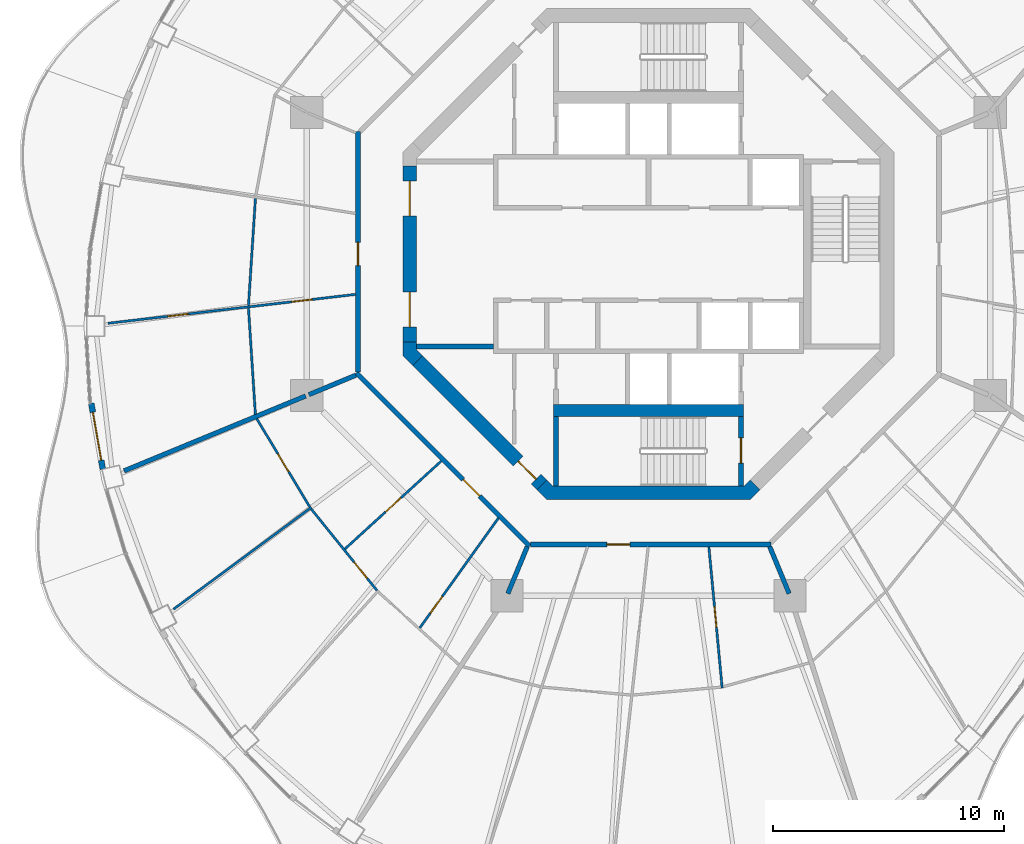
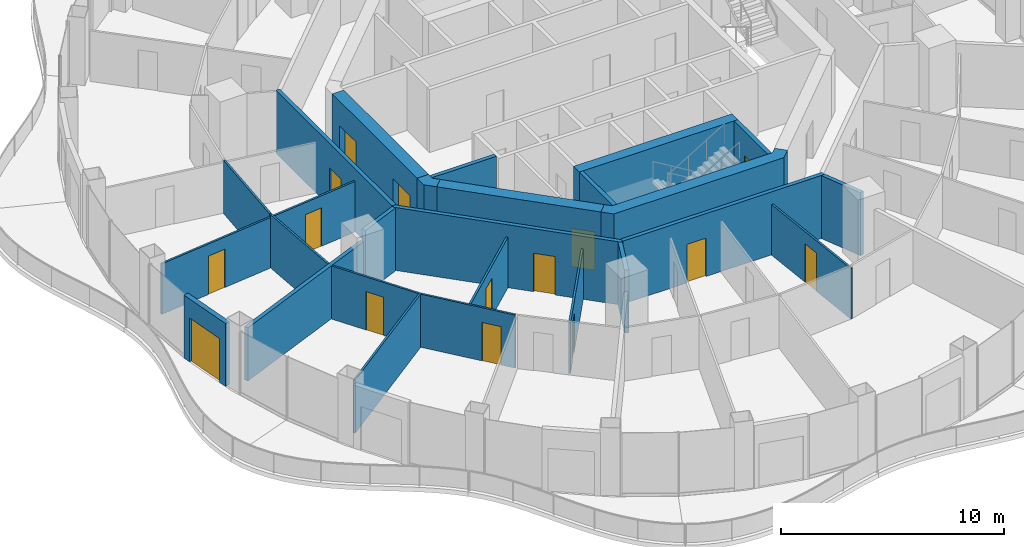
# One storey, part 10 of 17: 25 walls, 15 doors, 15 openings.
"""IFC4 building model written with IfcOpenShell, lengths in metres."""

from ifc_helpers import new_model, si_unit, direction, frame, frame_2d, origin, place, context, subcontext, project, spatial, polyline, rectangle, outline, extrude, material, layer, layer_set, type_object, element, fill, save


model = new_model("IFC4")

# Units and contexts
model_context = context("Model", 3, precision=1e-05, world=origin(), true_north=direction((0.0, 1.0)))
body_context = subcontext(model_context, "Body", "Model", "MODEL_VIEW")
ifc_project = project(units=[si_unit("LENGTHUNIT", "METRE"), si_unit("AREAUNIT", "SQUARE_METRE"), si_unit("VOLUMEUNIT", "CUBIC_METRE"), si_unit("PLANEANGLEUNIT", "RADIAN"), si_unit("MASSUNIT", "GRAM", prefix="KILO")], contexts=[model_context])

# Site, building, storey
site_placement = place(None, origin())
site = spatial("IfcSite", under=ifc_project, at=site_placement, CompositionType="ELEMENT")
building_placement = place(site_placement, origin())
building = spatial("IfcBuilding", under=site, at=building_placement, Name="Nagisa Residences", CompositionType="ELEMENT")
storey_placement = place(building_placement, frame((0.0, 0.0, 288.10009765625)))
storey = spatial("IfcBuildingStorey", under=building, at=storey_placement, Name="L73", CompositionType="ELEMENT", Elevation=288.10009765625)

# Walls
ifc_material_1 = material(Name="Gypsum board on steel studs", Category="steel")
ifc_layer_1 = layer(ifc_material_1, 0.199951171875)
ifc_layer_set_1 = layer_set([ifc_layer_1], Name="Apartment compartment wall EI60 200")
wall_type_1 = type_object("IfcWallType", Name="Apartment compartment wall EI60 200", PredefinedType="PARTITIONING", material=ifc_layer_set_1)
wall_1_placement = place(storey_placement, frame((-12.6572265625, -5.24267578125, 0.0), z_axis=(0.0, 0.0, 1.0), x_axis=(-0.923859888513, -0.38273085373, 0.0)))
element("IfcWall", 1, at=wall_1_placement, inside=storey, type_object=wall_type_1, Name="wall:L73:u06", PredefinedType="PARTITIONING", context=body_context, shape_type="SweptSolid", body=[
    extrude(rectangle(XDim=2.199462890625, YDim=0.199951171875, at=frame_2d((1.099609375, 0.0))), origin(), (0.0, 0.0, 1.0), 3.43994140625),
])
wall_2_placement = place(storey_placement, frame((-14.828369140625, -6.14208984375, 0.0), z_axis=(0.0, 0.0, 1.0), x_axis=(-0.924478087429, -0.381235184451, 0.0)))
element("IfcWall", 2, at=wall_2_placement, inside=storey, type_object=wall_type_1, Name="wall:L73:u07", PredefinedType="PARTITIONING", context=body_context, shape_type="SweptSolid", body=[
    extrude(rectangle(XDim=8.499267578125, YDim=0.199951171875, at=frame_2d((4.24951171875, 0.0))), origin(), (0.0, 0.0, 1.0), 2.90478515625),
])
wall_3_placement = place(storey_placement, frame((-5.24267578125, -12.6572265625, 0.0), z_axis=(0.0, 0.0, 1.0), x_axis=(-0.382770106157, -0.923843626288, 0.0)))
element("IfcWall", 3, at=wall_3_placement, inside=storey, type_object=wall_type_1, Name="wall:L73:u08", PredefinedType="PARTITIONING", context=body_context, shape_type="SweptSolid", body=[
    extrude(rectangle(XDim=2.19921875, YDim=0.199951171875, at=frame_2d((1.099609375, 0.0))), origin(), (0.0, 0.0, 1.0), 3.43994140625),
])
wall_4_placement = place(storey_placement, frame((5.24267578125, -12.6572265625, 0.0), z_axis=(0.0, 0.0, 1.0), x_axis=(0.382707856524, -0.923869415315, 0.0)))
element("IfcWall", 4, at=wall_4_placement, inside=storey, type_object=wall_type_1, Name="wall:L73:u10", PredefinedType="PARTITIONING", context=body_context, shape_type="SweptSolid", body=[
    extrude(rectangle(XDim=2.2001953125, YDim=0.199951171875, at=frame_2d((1.10009765625, 0.0))), origin(), (0.0, 0.0, 1.0), 3.43994140625),
])

# Wall, opening, door
ifc_material_2 = material(Name="Gypsum board on steel studs", Category="steel")
ifc_layer_2 = layer(ifc_material_2, 0.199951171875)
ifc_layer_set_2 = layer_set([ifc_layer_2], Name="Apartment entry wall EI60 200")
wall_type_2 = type_object("IfcWallType", Name="Apartment entry wall EI60 200", PredefinedType="PARTITIONING", material=ifc_layer_set_2)
wall_5_placement = place(storey_placement, frame((-12.564697265625, 5.304443359375, 0.0), z_axis=(0.0, 0.0, 1.0), x_axis=(0.0, -1.0, 0.0)))
wall_5 = element("IfcWall", 5, at=wall_5_placement, inside=storey, type_object=wall_type_2, Name="wall:L73:u18", PredefinedType="PARTITIONING", context=body_context, shape_type="SweptSolid", body=[
    extrude(rectangle(XDim=10.408935546875, YDim=0.199951171875, at=frame_2d((5.20458984375, 0.0))), origin(), (0.0, 0.0, 1.0), 3.43994140625),
])
opening_1_placement = place(wall_5_placement, frame((4.804443359375, 0.0, 0.0)))
opening_1 = element("IfcOpeningElement", 6, at=opening_1_placement, cuts=wall_5, Name="Opening L73-U35", PredefinedType="OPENING", context=body_context, shape_type="SweptSolid", body=[
    extrude(rectangle(XDim=1.0, YDim=2.10009765625, at=frame_2d((0.5, 1.050048828125))), frame((0.0, 0.10986328125, 0.0), z_axis=(0.0, -1.0, 0.0), x_axis=(1.0, 0.0, 0.0)), (0.0, 0.0, 1.0), 0.219970703125),
])
ifc_material_3 = material(Name="Timber fire door set", Category="wood")
door_type_1 = type_object("IfcDoorType", Name="Apartment entry door FD30S 1000x2100", OperationType="NOTDEFINED", PredefinedType="DOOR", material=ifc_material_3)
door_1_placement = place(opening_1_placement, frame((1.0, 0.0, 0.0), x_axis=(-1.0, 0.0, 0.0)))
door_1 = element("IfcDoor", 7, at=door_1_placement, inside=storey, type_object=door_type_1, Name="Entry door, Apartment 73G", OperationType="SINGLE_SWING_RIGHT", OverallHeight=2.10009765625, OverallWidth=1.0, PredefinedType="DOOR", context=body_context, shape_type="SweptSolid", body=[
    extrude(rectangle(XDim=1.0, YDim=2.10009765625, at=frame_2d((0.5, 1.050048828125))), frame((0.0, 0.02490234375, 0.0), z_axis=(0.0, -1.0, 0.0), x_axis=(1.0, 0.0, 0.0)), (0.0, 0.0, 1.0), 0.050048828125),
])
fill(opening_1, door_1)

wall_6_placement = place(storey_placement, frame((-12.635498046875, -5.1337890625, 0.0), z_axis=(0.0, 0.0, 1.0), x_axis=(0.707106781187, -0.707106781187, 0.0)))
wall_6 = element("IfcWall", 8, at=wall_6_placement, inside=storey, type_object=wall_type_2, Name="wall:L73:u19", PredefinedType="PARTITIONING", context=body_context, shape_type="SweptSolid", body=[
    extrude(rectangle(XDim=10.609130859375, YDim=0.199951171875, at=frame_2d((5.3046875, 0.0))), origin(), (0.0, 0.0, 1.0), 3.43994140625),
])
opening_2_placement = place(wall_6_placement, frame((6.539306640625, 0.0, 0.0)))
opening_2 = element("IfcOpeningElement", 9, at=opening_2_placement, cuts=wall_6, Name="Opening L73-U01", PredefinedType="OPENING", context=body_context, shape_type="SweptSolid", body=[
    extrude(rectangle(XDim=1.0, YDim=2.10009765625, at=frame_2d((0.5, 1.050048828125))), frame((0.0, 0.10986328125, 0.0), z_axis=(0.0, -1.0, 0.0), x_axis=(1.0, 0.0, 0.0)), (0.0, 0.0, 1.0), 0.219970703125),
])
door_2_placement = place(opening_2_placement, frame((1.0, 0.0, 0.0), x_axis=(-1.0, 0.0, 0.0)))
door_2 = element("IfcDoor", 10, at=door_2_placement, inside=storey, type_object=door_type_1, Name="Entry door, Apartment 73A", OperationType="SINGLE_SWING_RIGHT", OverallHeight=2.10009765625, OverallWidth=1.0, PredefinedType="DOOR", context=body_context, shape_type="SweptSolid", body=[
    extrude(rectangle(XDim=1.0, YDim=2.10009765625, at=frame_2d((0.5, 1.050048828125))), frame((0.0, 0.02490234375, 0.0), z_axis=(0.0, -1.0, 0.0), x_axis=(1.0, 0.0, 0.0)), (0.0, 0.0, 1.0), 0.050048828125),
])
fill(opening_2, door_2)

wall_7_placement = place(storey_placement, frame((-5.1044921875, -12.564697265625, 0.0), z_axis=(0.0, 0.0, 1.0), x_axis=(1.0, 0.0, 0.0)))
wall_7 = element("IfcWall", 11, at=wall_7_placement, inside=storey, type_object=wall_type_2, Name="wall:L73:u20", PredefinedType="PARTITIONING", context=body_context, shape_type="SweptSolid", body=[
    extrude(rectangle(XDim=10.408935546875, YDim=0.199951171875, at=frame_2d((5.20458984375, 0.0))), origin(), (0.0, 0.0, 1.0), 3.43994140625),
])
opening_3_placement = place(wall_7_placement, frame((3.303466796875, 0.0, 0.0)))
opening_3 = element("IfcOpeningElement", 12, at=opening_3_placement, cuts=wall_7, Name="Opening L73-U07", PredefinedType="OPENING", context=body_context, shape_type="SweptSolid", body=[
    extrude(rectangle(XDim=1.0, YDim=2.10009765625, at=frame_2d((0.5, 1.050048828125))), frame((0.0, 0.10986328125, 0.0), z_axis=(0.0, -1.0, 0.0), x_axis=(1.0, 0.0, 0.0)), (0.0, 0.0, 1.0), 0.219970703125),
])
door_3_placement = place(opening_3_placement, frame((1.0, 0.0, 0.0), x_axis=(-1.0, 0.0, 0.0)))
door_3 = element("IfcDoor", 13, at=door_3_placement, inside=storey, type_object=door_type_1, Name="Entry door, Apartment 73B", OperationType="SINGLE_SWING_RIGHT", OverallHeight=2.10009765625, OverallWidth=1.0, PredefinedType="DOOR", context=body_context, shape_type="SweptSolid", body=[
    extrude(rectangle(XDim=1.0, YDim=2.10009765625, at=frame_2d((0.5, 1.050048828125))), frame((0.0, 0.02490234375, 0.0), z_axis=(0.0, -1.0, 0.0), x_axis=(1.0, 0.0, 0.0)), (0.0, 0.0, 1.0), 0.050048828125),
])
fill(opening_3, door_3)

# Wall
ifc_material_4 = material(Name="Gypsum board on steel studs", Category="steel")
ifc_layer_3 = layer(ifc_material_4, 0.10009765625)
ifc_layer_set_3 = layer_set([ifc_layer_3], Name="Apartment partition 100")
wall_type_3 = type_object("IfcWallType", Name="Apartment partition 100", PredefinedType="PARTITIONING", material=ifc_layer_set_3)
wall_8_placement = place(storey_placement, frame((-17.001708984375, 2.40869140625, 0.0), z_axis=(0.0, 0.0, 1.0), x_axis=(-0.064855550758, -0.997894662545, 0.0)))
element("IfcWall", 14, at=wall_8_placement, inside=storey, type_object=wall_type_3, Name="wall:L73:u47", PredefinedType="PARTITIONING", context=body_context, shape_type="SweptSolid", body=[
    extrude(rectangle(XDim=4.656494140625, YDim=0.10009765625, at=frame_2d((2.328125, 0.0))), origin(), (0.0, 0.0, 1.0), 2.90478515625),
])

# Wall, openings, doors
wall_9_placement = place(storey_placement, frame((-12.6640625, -1.746337890625, 0.0), z_axis=(0.0, 0.0, 1.0), x_axis=(-0.993264397529, -0.115869912409, 0.0)))
wall_9 = element("IfcWall", 15, at=wall_9_placement, inside=storey, type_object=wall_type_3, Name="wall:L73:u48", PredefinedType="PARTITIONING", context=body_context, shape_type="SweptSolid", body=[
    extrude(rectangle(XDim=10.792236328125, YDim=0.10009765625, at=frame_2d((5.39599609375, 0.0))), origin(), (0.0, 0.0, 1.0), 2.761962890625),
])
opening_4_placement = place(wall_9_placement, frame((1.88720703125, 0.0, 0.0)))
opening_4 = element("IfcOpeningElement", 16, at=opening_4_placement, cuts=wall_9, Name="Opening L73-U37", PredefinedType="OPENING", context=body_context, shape_type="SweptSolid", body=[
    extrude(rectangle(XDim=0.89990234375, YDim=2.10009765625, at=frame_2d((0.449951171875, 1.050048828125))), frame((0.0, 0.06005859375, 0.0), z_axis=(0.0, -1.0, 0.0), x_axis=(1.0, 0.0, 0.0)), (0.0, 0.0, 1.0), 0.1201171875),
])
opening_5_placement = place(wall_9_placement, frame((7.283203125, 0.0, 0.0)))
opening_5 = element("IfcOpeningElement", 17, at=opening_5_placement, cuts=wall_9, Name="Opening L73-U40", PredefinedType="OPENING", context=body_context, shape_type="SweptSolid", body=[
    extrude(rectangle(XDim=0.89990234375, YDim=2.10009765625, at=frame_2d((0.449951171875, 1.050048828125))), frame((0.0, 0.06005859375, 0.0), z_axis=(0.0, -1.0, 0.0), x_axis=(1.0, 0.0, 0.0)), (0.0, 0.0, 1.0), 0.1201171875),
])
ifc_material_5 = material(Name="Timber door set", Category="wood")
door_type_2 = type_object("IfcDoorType", Name="Apartment door 900x2100", OperationType="NOTDEFINED", PredefinedType="DOOR", material=ifc_material_5)
door_4_placement = place(opening_4_placement, origin())
door_4 = element("IfcDoor", 18, at=door_4_placement, inside=storey, type_object=door_type_2, Name="Door to family bathroom, Apartment 73G", OperationType="SINGLE_SWING_LEFT", OverallHeight=2.10009765625, OverallWidth=0.89990234375, PredefinedType="DOOR", context=body_context, shape_type="SweptSolid", body=[
    extrude(rectangle(XDim=0.89990234375, YDim=2.10009765625, at=frame_2d((0.449951171875, 1.050048828125))), frame((0.0, 0.02490234375, 0.0), z_axis=(0.0, -1.0, 0.0), x_axis=(1.0, 0.0, 0.0)), (0.0, 0.0, 1.0), 0.050048828125),
])
fill(opening_4, door_4)
door_5_placement = place(opening_5_placement, origin())
door_5 = element("IfcDoor", 19, at=door_5_placement, inside=storey, type_object=door_type_2, Name="Door to master bedroom, Apartment 73G", OperationType="SINGLE_SWING_RIGHT", OverallHeight=2.10009765625, OverallWidth=0.89990234375, PredefinedType="DOOR", context=body_context, shape_type="SweptSolid", body=[
    extrude(rectangle(XDim=0.89990234375, YDim=2.10009765625, at=frame_2d((0.449951171875, 1.050048828125))), frame((0.0, 0.02490234375, 0.0), z_axis=(0.0, -1.0, 0.0), x_axis=(1.0, 0.0, 0.0)), (0.0, 0.0, 1.0), 0.050048828125),
])
fill(opening_5, door_5)

# Wall
wall_10_placement = place(storey_placement, frame((-17.3037109375, -2.337890625, 0.0), z_axis=(0.0, 0.0, 1.0), x_axis=(0.06500001157, -0.997885263192, 0.0)))
element("IfcWall", 20, at=wall_10_placement, inside=storey, type_object=wall_type_3, Name="wall:L73:u49", PredefinedType="PARTITIONING", context=body_context, shape_type="SweptSolid", body=[
    extrude(rectangle(XDim=4.608642578125, YDim=0.10009765625, at=frame_2d((2.30419921875, 0.0))), origin(), (0.0, 0.0, 1.0), 2.90478515625),
])

# Wall, opening, door
wall_11_placement = place(storey_placement, frame((-16.9462890625, -7.122314453125, 0.0), z_axis=(0.0, 0.0, 1.0), x_axis=(0.514994556856, -0.857193447483, 0.0)))
wall_11 = element("IfcWall", 21, at=wall_11_placement, inside=storey, type_object=wall_type_3, Name="wall:L73:u50", PredefinedType="PARTITIONING", context=body_context, shape_type="SweptSolid", body=[
    extrude(rectangle(XDim=4.4619140625, YDim=0.10009765625, at=frame_2d((2.23095703125, 0.0))), origin(), (0.0, 0.0, 1.0), 2.90478515625),
])
opening_6_placement = place(wall_11_placement, frame((1.781005859375, 0.0, 0.0)))
opening_6 = element("IfcOpeningElement", 22, at=opening_6_placement, cuts=wall_11, Name="Opening L73-U04", PredefinedType="OPENING", context=body_context, shape_type="SweptSolid", body=[
    extrude(rectangle(XDim=0.89990234375, YDim=2.10009765625, at=frame_2d((0.449951171875, 1.050048828125))), frame((0.0, 0.06005859375, 0.0), z_axis=(0.0, -1.0, 0.0), x_axis=(1.0, 0.0, 0.0)), (0.0, 0.0, 1.0), 0.1201171875),
])
door_6_placement = place(opening_6_placement, frame((0.89990234375, 0.0, 0.0), x_axis=(-1.0, 0.0, 0.0)))
door_6 = element("IfcDoor", 23, at=door_6_placement, inside=storey, type_object=door_type_2, Name="Door to kitchen, Apartment 73A", OperationType="SINGLE_SWING_LEFT", OverallHeight=2.10009765625, OverallWidth=0.89990234375, PredefinedType="DOOR", context=body_context, shape_type="SweptSolid", body=[
    extrude(rectangle(XDim=0.89990234375, YDim=2.10009765625, at=frame_2d((0.449951171875, 1.050048828125))), frame((0.0, 0.02490234375, 0.0), z_axis=(0.0, -1.0, 0.0), x_axis=(1.0, 0.0, 0.0)), (0.0, 0.0, 1.0), 0.050048828125),
])
fill(opening_6, door_6)

# Wall
wall_12_placement = place(storey_placement, frame((-14.582275390625, -10.960205078125, 0.0), z_axis=(0.0, 0.0, 1.0), x_axis=(-0.804405200554, -0.594081032623, 0.0)))
element("IfcWall", 24, at=wall_12_placement, inside=storey, type_object=wall_type_3, Name="wall:L73:u51", PredefinedType="PARTITIONING", context=body_context, shape_type="SweptSolid", body=[
    extrude(rectangle(XDim=7.41845703125, YDim=0.10009765625, at=frame_2d((3.709228515625, 0.0))), origin(), (0.0, 0.0, 1.0), 2.90478515625),
])

# Wall, opening, door
wall_13_placement = place(storey_placement, frame((-14.59130859375, -11.02880859375, 0.0), z_axis=(0.0, 0.0, 1.0), x_axis=(0.628170338674, -0.778075848237, 0.0)))
wall_13 = element("IfcWall", 25, at=wall_13_placement, inside=storey, type_object=wall_type_3, Name="wall:L73:u52", PredefinedType="PARTITIONING", context=body_context, shape_type="SweptSolid", body=[
    extrude(rectangle(XDim=4.532470703125, YDim=0.10009765625, at=frame_2d((2.26611328125, 0.0))), origin(), (0.0, 0.0, 1.0), 2.90478515625),
])
opening_7_placement = place(wall_13_placement, frame((2.94921875, 0.0, 0.0)))
opening_7 = element("IfcOpeningElement", 26, at=opening_7_placement, cuts=wall_13, Name="Opening L73-U05", PredefinedType="OPENING", context=body_context, shape_type="SweptSolid", body=[
    extrude(rectangle(XDim=0.89990234375, YDim=2.10009765625, at=frame_2d((0.449951171875, 1.050048828125))), frame((0.0, 0.06005859375, 0.0), z_axis=(0.0, -1.0, 0.0), x_axis=(1.0, 0.0, 0.0)), (0.0, 0.0, 1.0), 0.1201171875),
])
door_7_placement = place(opening_7_placement, frame((0.89990234375, 0.0, 0.0), x_axis=(-1.0, 0.0, 0.0)))
door_7 = element("IfcDoor", 27, at=door_7_placement, inside=storey, type_object=door_type_2, Name="Door to master bedroom, Apartment 73A", OperationType="SINGLE_SWING_RIGHT", OverallHeight=2.10009765625, OverallWidth=0.89990234375, PredefinedType="DOOR", context=body_context, shape_type="SweptSolid", body=[
    extrude(rectangle(XDim=0.89990234375, YDim=2.10009765625, at=frame_2d((0.449951171875, 1.050048828125))), frame((0.0, 0.02490234375, 0.0), z_axis=(0.0, -1.0, 0.0), x_axis=(1.0, 0.0, 0.0)), (0.0, 0.0, 1.0), 0.050048828125),
])
fill(opening_7, door_7)

wall_14_placement = place(storey_placement, frame((-8.95849609375, -8.9521484375, 0.0), z_axis=(0.0, 0.0, 1.0), x_axis=(-0.73876526954, -0.673962815385, 0.0)))
wall_14 = element("IfcWall", 28, at=wall_14_placement, inside=storey, type_object=wall_type_3, Name="wall:L73:u53", PredefinedType="PARTITIONING", context=body_context, shape_type="SweptSolid", body=[
    extrude(rectangle(XDim=5.6474609375, YDim=0.10009765625, at=frame_2d((2.82373046875, 0.0))), origin(), (0.0, 0.0, 1.0), 2.761962890625),
])
opening_8_placement = place(wall_14_placement, frame((2.373779296875, 0.0, 0.0)))
opening_8 = element("IfcOpeningElement", 29, at=opening_8_placement, cuts=wall_14, Name="Opening L73-U02", PredefinedType="OPENING", context=body_context, shape_type="SweptSolid", body=[
    extrude(rectangle(XDim=0.89990234375, YDim=2.10009765625, at=frame_2d((0.449951171875, 1.050048828125))), frame((0.0, 0.06005859375, 0.0), z_axis=(0.0, -1.0, 0.0), x_axis=(1.0, 0.0, 0.0)), (0.0, 0.0, 1.0), 0.1201171875),
])
door_8_placement = place(opening_8_placement, frame((0.89990234375, 0.0, 0.0), x_axis=(-1.0, 0.0, 0.0)))
door_8 = element("IfcDoor", 30, at=door_8_placement, inside=storey, type_object=door_type_2, Name="Door to store, Apartment 73A", OperationType="SINGLE_SWING_LEFT", OverallHeight=2.10009765625, OverallWidth=0.89990234375, PredefinedType="DOOR", context=body_context, shape_type="SweptSolid", body=[
    extrude(rectangle(XDim=0.89990234375, YDim=2.10009765625, at=frame_2d((0.449951171875, 1.050048828125))), frame((0.0, 0.02490234375, 0.0), z_axis=(0.0, -1.0, 0.0), x_axis=(1.0, 0.0, 0.0)), (0.0, 0.0, 1.0), 0.050048828125),
])
fill(opening_8, door_8)

wall_15_placement = place(storey_placement, frame((-6.489501953125, -11.41943359375, 0.0), z_axis=(0.0, 0.0, 1.0), x_axis=(-0.58201647594, -0.813176992871, 0.0)))
wall_15 = element("IfcWall", 31, at=wall_15_placement, inside=storey, type_object=wall_type_3, Name="wall:L73:u56", PredefinedType="PARTITIONING", context=body_context, shape_type="SweptSolid", body=[
    extrude(rectangle(XDim=5.84375, YDim=0.10009765625, at=frame_2d((2.921875, 0.0))), origin(), (0.0, 0.0, 1.0), 2.761962890625),
])
opening_9_placement = place(wall_15_placement, frame((4.169189453125, 0.0, 0.0)))
opening_9 = element("IfcOpeningElement", 32, at=opening_9_placement, cuts=wall_15, Name="Opening L73-U03", PredefinedType="OPENING", context=body_context, shape_type="SweptSolid", body=[
    extrude(rectangle(XDim=0.89990234375, YDim=2.10009765625, at=frame_2d((0.449951171875, 1.050048828125))), frame((0.0, 0.06005859375, 0.0), z_axis=(0.0, -1.0, 0.0), x_axis=(1.0, 0.0, 0.0)), (0.0, 0.0, 1.0), 0.1201171875),
])
door_9_placement = place(opening_9_placement, origin())
door_9 = element("IfcDoor", 33, at=door_9_placement, inside=storey, type_object=door_type_2, Name="Door to family bathroom, Apartment 73A", OperationType="SINGLE_SWING_LEFT", OverallHeight=2.10009765625, OverallWidth=0.89990234375, PredefinedType="DOOR", context=body_context, shape_type="SweptSolid", body=[
    extrude(rectangle(XDim=0.89990234375, YDim=2.10009765625, at=frame_2d((0.449951171875, 1.050048828125))), frame((0.0, 0.02490234375, 0.0), z_axis=(0.0, -1.0, 0.0), x_axis=(1.0, 0.0, 0.0)), (0.0, 0.0, 1.0), 0.050048828125),
])
fill(opening_9, door_9)

wall_16_placement = place(storey_placement, frame((2.611572265625, -12.664306640625, 0.0), z_axis=(0.0, 0.0, 1.0), x_axis=(0.093781393779, -0.995592813444, 0.0)))
wall_16 = element("IfcWall", 34, at=wall_16_placement, inside=storey, type_object=wall_type_3, Name="wall:L73:u62", PredefinedType="PARTITIONING", context=body_context, shape_type="SweptSolid", body=[
    extrude(rectangle(XDim=6.143798828125, YDim=0.10009765625, at=frame_2d((3.07177734375, 0.0))), origin(), (0.0, 0.0, 1.0), 2.761962890625),
])
opening_10_placement = place(wall_16_placement, frame((2.5966796875, 0.0, 0.0)))
opening_10 = element("IfcOpeningElement", 35, at=opening_10_placement, cuts=wall_16, Name="Opening L73-U10", PredefinedType="OPENING", context=body_context, shape_type="SweptSolid", body=[
    extrude(rectangle(XDim=0.89990234375, YDim=2.10009765625, at=frame_2d((0.449951171875, 1.050048828125))), frame((0.0, 0.06005859375, 0.0), z_axis=(0.0, -1.0, 0.0), x_axis=(1.0, 0.0, 0.0)), (0.0, 0.0, 1.0), 0.1201171875),
])
door_10_placement = place(opening_10_placement, origin())
door_10 = element("IfcDoor", 36, at=door_10_placement, inside=storey, type_object=door_type_2, Name="Door to laundry, Apartment 73B", OperationType="SINGLE_SWING_RIGHT", OverallHeight=2.10009765625, OverallWidth=0.89990234375, PredefinedType="DOOR", context=body_context, shape_type="SweptSolid", body=[
    extrude(rectangle(XDim=0.89990234375, YDim=2.10009765625, at=frame_2d((0.449951171875, 1.050048828125))), frame((0.0, 0.02490234375, 0.0), z_axis=(0.0, -1.0, 0.0), x_axis=(1.0, 0.0, 0.0)), (0.0, 0.0, 1.0), 0.050048828125),
])
fill(opening_10, door_10)

ifc_material_6 = material(Name="Precast concrete C40/50", Category="concrete")
ifc_layer_4 = layer(ifc_material_6, 0.25)
ifc_layer_set_4 = layer_set([ifc_layer_4], Name="BALCONY DOOR WALL 250")
wall_type_4 = type_object("IfcWallType", Name="BALCONY DOOR WALL 250", PredefinedType="SOLIDWALL", material=ifc_layer_set_4)
wall_17_placement = place(storey_placement, frame((-23.603515625, -9.31494140625, 0.0), z_axis=(0.0, 0.0, 1.0), x_axis=(-0.172182411767, 0.985065082661, 0.0)))
wall_17 = element("IfcWall", 37, at=wall_17_placement, inside=storey, type_object=wall_type_4, Name="wall:L73:bay25", PredefinedType="SOLIDWALL", context=body_context, shape_type="SweptSolid", body=[
    extrude(rectangle(XDim=2.902587890625, YDim=0.25, at=frame_2d((1.451171875, 0.0))), origin(), (0.0, 0.0, 1.0), 3.43994140625),
])
opening_11_placement = place(wall_17_placement, frame((0.401123046875, 0.0, 0.0)))
opening_11 = element("IfcOpeningElement", 38, at=opening_11_placement, cuts=wall_17, Name="Opening BD-L73-09", PredefinedType="OPENING", context=body_context, shape_type="SweptSolid", body=[
    extrude(rectangle(XDim=2.10009765625, YDim=2.39990234375, at=frame_2d((1.050048828125, 1.199951171875))), frame((0.0, 0.135009765625, 0.0), z_axis=(0.0, -1.0, 0.0), x_axis=(1.0, 0.0, 0.0)), (0.0, 0.0, 1.0), 0.27001953125),
])
ifc_material_7 = material(Name="Aluminium and clear glass", Category="aluminium")
door_type_3 = type_object("IfcDoorType", Name="BALCONY SLIDING DOOR 2100x2400", OperationType="SLIDING_TO_LEFT", PredefinedType="DOOR", material=ifc_material_7)
door_11_placement = place(opening_11_placement, origin())
door_11 = element("IfcDoor", 39, at=door_11_placement, inside=storey, type_object=door_type_3, Name="door:L73:bay25", OperationType="SLIDING_TO_LEFT", OverallHeight=2.39990234375, OverallWidth=2.10009765625, PredefinedType="DOOR", context=body_context, shape_type="SweptSolid", body=[
    extrude(rectangle(XDim=2.10009765625, YDim=2.39990234375, at=frame_2d((1.050048828125, 1.199951171875))), frame((0.0, 0.02490234375, 0.0), z_axis=(0.0, -1.0, 0.0), x_axis=(1.0, 0.0, 0.0)), (0.0, 0.0, 1.0), 0.050048828125),
])
fill(opening_11, door_11)

# Wall
ifc_material_8 = material(Name="Gypsum board on steel studs", Category="steel")
ifc_layer_5 = layer(ifc_material_8, 0.199951171875)
ifc_layer_set_5 = layer_set([ifc_layer_5], Name="Core partition 200")
wall_type_5 = type_object("IfcWallType", Name="Core partition 200", PredefinedType="PARTITIONING", material=ifc_layer_set_5)
wall_18_placement = place(storey_placement, frame((-10.024658203125, -4.0, 0.0), z_axis=(0.0, 0.0, 1.0), x_axis=(1.0, 0.0, 0.0)))
element("IfcWall", 40, at=wall_18_placement, inside=storey, type_object=wall_type_5, Name="wall:L73:PSW", PredefinedType="PARTITIONING", context=body_context, shape_type="SweptSolid", body=[
    extrude(rectangle(XDim=3.32470703125, YDim=0.199951171875, at=frame_2d((1.662353515625, 0.0))), origin(), (0.0, 0.0, 1.0), 3.43994140625),
])

# Wall, openings, doors
ifc_material_9 = material(Name="Concrete C60", Category="concrete")
ifc_layer_6 = layer(ifc_material_9, 0.60009765625)
ifc_layer_set_6 = layer_set([ifc_layer_6], Name="Core shear wall 600")
wall_type_6 = type_object("IfcWallType", Name="Core shear wall 600", PredefinedType="SHEAR", material=ifc_layer_set_6)
wall_19_placement = place(storey_placement, frame((-10.32470703125, 3.80078125, 0.0), z_axis=(0.0, 0.0, 1.0), x_axis=(0.0, -1.0, 0.0)))
wall_19 = element("IfcWall", 41, at=wall_19_placement, inside=storey, type_object=wall_type_6, Name="wall:L73:core:flat4", PredefinedType="SHEAR", context=body_context, shape_type="SweptSolid", body=[
    extrude(rectangle(XDim=7.6015625, YDim=0.60009765625, at=frame_2d((3.80078125, 0.0))), origin(), (0.0, 0.0, 1.0), 3.43994140625),
])
opening_12_placement = place(wall_19_placement, frame((0.65087890625, 0.0, 0.0)))
opening_12 = element("IfcOpeningElement", 42, at=opening_12_placement, cuts=wall_19, Name="Opening L73-C20", PredefinedType="OPENING", context=body_context, shape_type="SweptSolid", body=[
    extrude(rectangle(XDim=1.5, YDim=2.10009765625, at=frame_2d((0.75, 1.050048828125))), frame((0.0, 0.31005859375, 0.0), z_axis=(0.0, -1.0, 0.0), x_axis=(1.0, 0.0, 0.0)), (0.0, 0.0, 1.0), 0.6201171875),
])
opening_13_placement = place(wall_19_placement, frame((5.450927734375, 0.0, 0.0)))
opening_13 = element("IfcOpeningElement", 43, at=opening_13_placement, cuts=wall_19, Name="Opening L73-C21", PredefinedType="OPENING", context=body_context, shape_type="SweptSolid", body=[
    extrude(rectangle(XDim=1.5, YDim=2.10009765625, at=frame_2d((0.75, 1.050048828125))), frame((0.0, 0.31005859375, 0.0), z_axis=(0.0, -1.0, 0.0), x_axis=(1.0, 0.0, 0.0)), (0.0, 0.0, 1.0), 0.6201171875),
])
ifc_material_10 = material(Name="Steel fire door", Category="steel")
door_type_4 = type_object("IfcDoorType", Name="Fire door EI60 1500x2100 double door single swing", OperationType="DOUBLE_DOOR_SINGLE_SWING", PredefinedType="DOOR", material=ifc_material_10)
door_12_placement = place(opening_12_placement, origin())
door_12 = element("IfcDoor", 44, at=door_12_placement, inside=storey, type_object=door_type_4, Name="Lift lobby door L73 1", OperationType="DOUBLE_DOOR_SINGLE_SWING", OverallHeight=2.10009765625, OverallWidth=1.5, PredefinedType="DOOR", context=body_context, shape_type="SweptSolid", body=[
    extrude(rectangle(XDim=1.5, YDim=2.10009765625, at=frame_2d((0.75, 1.050048828125))), frame((0.0, 0.02490234375, 0.0), z_axis=(0.0, -1.0, 0.0), x_axis=(1.0, 0.0, 0.0)), (0.0, 0.0, 1.0), 0.050048828125),
])
fill(opening_12, door_12)
door_13_placement = place(opening_13_placement, origin())
door_13 = element("IfcDoor", 45, at=door_13_placement, inside=storey, type_object=door_type_4, Name="Lift lobby door L73 2", OperationType="DOUBLE_DOOR_SINGLE_SWING", OverallHeight=2.10009765625, OverallWidth=1.5, PredefinedType="DOOR", context=body_context, shape_type="SweptSolid", body=[
    extrude(rectangle(XDim=1.5, YDim=2.10009765625, at=frame_2d((0.75, 1.050048828125))), frame((0.0, 0.02490234375, 0.0), z_axis=(0.0, -1.0, 0.0), x_axis=(1.0, 0.0, 0.0)), (0.0, 0.0, 1.0), 0.050048828125),
])
fill(opening_13, door_13)

# Wall, opening, door
wall_20_placement = place(storey_placement, frame((-9.98828125, -4.613037109375, 0.0), z_axis=(0.0, 0.0, 1.0), x_axis=(0.707106781187, -0.707106781187, 0.0)))
wall_20 = element("IfcWall", 46, at=wall_20_placement, inside=storey, type_object=wall_type_6, Name="wall:L73:core:flat5", PredefinedType="SHEAR", context=body_context, shape_type="SweptSolid", body=[
    extrude(rectangle(XDim=7.601806640625, YDim=0.60009765625, at=frame_2d((3.80078125, 0.0))), origin(), (0.0, 0.0, 1.0), 3.43994140625),
])
opening_14_placement = place(wall_20_placement, frame((6.15087890625, 0.0, 0.0)))
opening_14 = element("IfcOpeningElement", 47, at=opening_14_placement, cuts=wall_20, Name="Opening L73-C23", PredefinedType="OPENING", context=body_context, shape_type="SweptSolid", body=[
    extrude(rectangle(XDim=1.10009765625, YDim=2.10009765625, at=frame_2d((0.550048828125, 1.050048828125))), frame((0.0, 0.31005859375, 0.0), z_axis=(0.0, -1.0, 0.0), x_axis=(1.0, 0.0, 0.0)), (0.0, 0.0, 1.0), 0.6201171875),
])
ifc_material_11 = material(Name="Steel fire door", Category="steel")
door_type_5 = type_object("IfcDoorType", Name="Fire door EI60 1100x2100 single swing", OperationType="NOTDEFINED", PredefinedType="DOOR", material=ifc_material_11)
door_14_placement = place(opening_14_placement, origin())
door_14 = element("IfcDoor", 48, at=door_14_placement, inside=storey, type_object=door_type_5, Name="Housekeeping lobby door L73", OperationType="SINGLE_SWING_LEFT", OverallHeight=2.10009765625, OverallWidth=1.10009765625, PredefinedType="DOOR", context=body_context, shape_type="SweptSolid", body=[
    extrude(rectangle(XDim=1.10009765625, YDim=2.10009765625, at=frame_2d((0.550048828125, 1.050048828125))), frame((0.0, 0.02490234375, 0.0), z_axis=(0.0, -1.0, 0.0), x_axis=(1.0, 0.0, 0.0)), (0.0, 0.0, 1.0), 0.050048828125),
])
fill(opening_14, door_14)

# Walls
wall_21_placement = place(storey_placement, origin())
element("IfcWall", 49, at=wall_21_placement, inside=storey, type_object=wall_type_6, Name="wall:L73:core:pier4", PredefinedType="SHEAR", context=body_context, shape_type="SweptSolid", body=[
    extrude(outline(polyline([(-10.62451171875, -3.80078125), (-10.024658203125, -3.80078125), (-10.024658203125, -4.15234375), (-9.776123046875, -4.40087890625), (-10.200439453125, -4.8251953125), (-10.62451171875, -4.40087890625), (-10.62451171875, -3.80078125)])), origin(), (0.0, 0.0, 1.0), 3.43994140625),
])
wall_22_placement = place(storey_placement, origin())
element("IfcWall", 50, at=wall_22_placement, inside=storey, type_object=wall_type_6, Name="wall:L73:core:flat6", PredefinedType="SHEAR", context=body_context, shape_type="SweptSolid", body=[
    extrude(outline(polyline([(-4.15234375, -10.024658203125), (4.15234375, -10.024658203125), (4.40087890625, -9.776123046875), (4.8251953125, -10.200439453125), (4.40087890625, -10.62451171875), (-4.40087890625, -10.62451171875), (-4.8251953125, -10.200439453125), (-4.40087890625, -9.776123046875), (-4.15234375, -10.024658203125)])), origin(), (0.0, 0.0, 1.0), 3.43994140625),
])

# Wall, opening, door
ifc_material_12 = material(Name="Concrete C60", Category="concrete")
ifc_layer_7 = layer(ifc_material_12, 0.199951171875)
ifc_layer_set_7 = layer_set([ifc_layer_7], Name="Stair enclosure wall 200")
wall_type_7 = type_object("IfcWallType", Name="Stair enclosure wall 200", PredefinedType="SOLIDWALL", material=ifc_layer_set_7)
wall_23_placement = place(storey_placement, frame((4.0, -10.024658203125, 0.0), z_axis=(0.0, 0.0, 1.0), x_axis=(0.0, 1.0, 0.0)))
wall_23 = element("IfcWall", 51, at=wall_23_placement, inside=storey, type_object=wall_type_7, Name="wall:L73:SS_e", PredefinedType="SOLIDWALL", context=body_context, shape_type="SweptSolid", body=[
    extrude(rectangle(XDim=3.0, YDim=0.199951171875, at=frame_2d((1.5, 0.0))), origin(), (0.0, 0.0, 1.0), 3.43994140625),
])
opening_15_placement = place(wall_23_placement, frame((0.974609375, 0.0, 0.0)))
opening_15 = element("IfcOpeningElement", 52, at=opening_15_placement, cuts=wall_23, Name="Opening L73-C09", PredefinedType="OPENING", context=body_context, shape_type="SweptSolid", body=[
    extrude(rectangle(XDim=1.10009765625, YDim=2.10009765625, at=frame_2d((0.550048828125, 1.050048828125))), frame((0.0, 0.10986328125, 0.0), z_axis=(0.0, -1.0, 0.0), x_axis=(1.0, 0.0, 0.0)), (0.0, 0.0, 1.0), 0.219970703125),
])
ifc_material_13 = material(Name="Steel fire door", Category="steel")
door_type_6 = type_object("IfcDoorType", Name="Fire door EI90 1100x2100 single swing", OperationType="NOTDEFINED", PredefinedType="DOOR", material=ifc_material_13)
door_15_placement = place(opening_15_placement, origin())
door_15 = element("IfcDoor", 53, at=door_15_placement, inside=storey, type_object=door_type_6, Name="Stair door ST-S L73", OperationType="SINGLE_SWING_RIGHT", OverallHeight=2.10009765625, OverallWidth=1.10009765625, PredefinedType="DOOR", context=body_context, shape_type="SweptSolid", body=[
    extrude(rectangle(XDim=1.10009765625, YDim=2.10009765625, at=frame_2d((0.550048828125, 1.050048828125))), frame((0.0, 0.02490234375, 0.0), z_axis=(0.0, -1.0, 0.0), x_axis=(1.0, 0.0, 0.0)), (0.0, 0.0, 1.0), 0.050048828125),
])
fill(opening_15, door_15)

# Walls
wall_24_placement = place(storey_placement, origin())
element("IfcWall", 54, at=wall_24_placement, inside=storey, type_object=wall_type_7, Name="wall:L73:SS_w", PredefinedType="SOLIDWALL", context=body_context, shape_type="SweptSolid", body=[
    extrude(outline(polyline([(-3.89990234375, -10.024658203125), (-4.10009765625, -10.024658203125), (-4.10009765625, -7.024658203125), (-3.89990234375, -7.024658203125), (-3.89990234375, -10.024658203125)])), origin(), (0.0, 0.0, 1.0), 3.43994140625),
])
wall_25_placement = place(storey_placement, origin())
element("IfcWall", 55, at=wall_25_placement, inside=storey, type_object=wall_type_7, Name="wall:L73:SS_n", PredefinedType="SOLIDWALL", context=body_context, shape_type="SweptSolid", body=[
    extrude(outline(polyline([(4.10009765625, -7.024658203125), (-4.10009765625, -7.024658203125), (-4.10009765625, -6.5), (4.10009765625, -6.5), (4.10009765625, -7.024658203125)])), origin(), (0.0, 0.0, 1.0), 3.43994140625),
])

save(model, "model.ifc")
